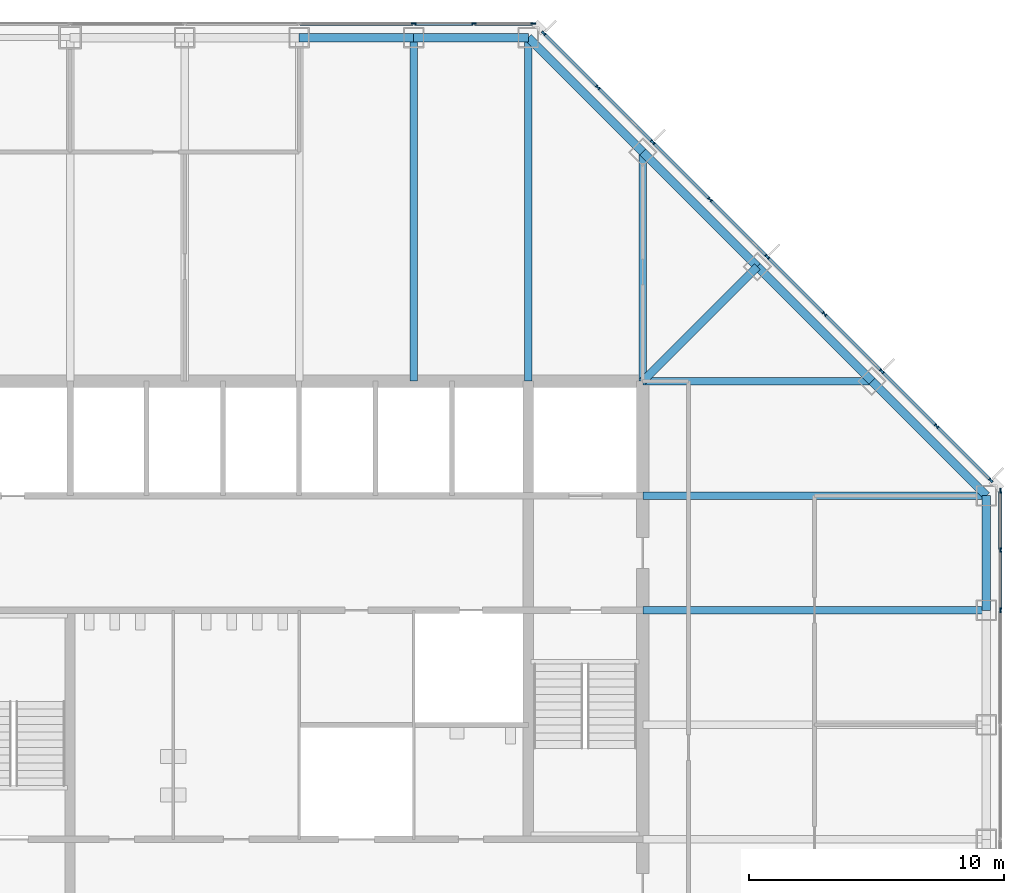
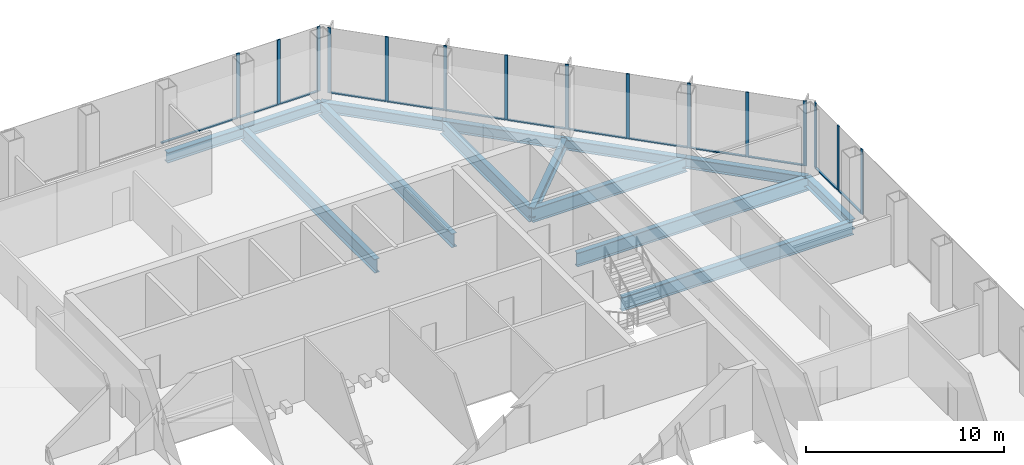
# One storey, part 6 of 12: 28 members, 14 beams, 3 elements without a shape of their own.
"""IFC4 building model written with IfcOpenShell, lengths in metres."""

from ifc_helpers import new_model, si_unit, direction, frame, origin, origin_2d, place, context, subcontext, project, spatial, rectangle, i_section, extrude, material, material_profile, profile_set, type_object, element, aggregate, save


model = new_model("IFC4")

# Units and contexts
model_context = context("Model", 3, precision=1e-05, world=origin(), true_north=direction((0.0, 1.0)))
body_context = subcontext(model_context, "Body", "Model", "MODEL_VIEW")
ifc_project = project(units=[si_unit("LENGTHUNIT", "METRE"), si_unit("AREAUNIT", "SQUARE_METRE"), si_unit("VOLUMEUNIT", "CUBIC_METRE"), si_unit("PLANEANGLEUNIT", "RADIAN"), si_unit("MASSUNIT", "GRAM", prefix="KILO")], contexts=[model_context])

# Site, building, storey
site_placement = place(None, origin())
site = spatial("IfcSite", under=ifc_project, at=site_placement, CompositionType="ELEMENT")
building_placement = place(site_placement, origin())
building = spatial("IfcBuilding", under=site, at=building_placement, Name="Corais Broadcast Tower", CompositionType="ELEMENT")
storey_placement = place(building_placement, frame((0.0, 0.0, 115.60009765625)))
storey = spatial("IfcBuildingStorey", under=building, at=storey_placement, Name="L25", CompositionType="ELEMENT", Elevation=115.60009765625)

# Beams
ifc_material_1 = material(Name="Steel ASTM A572 Grade 50", Category="steel")
ifc_material_profile_1 = material_profile(ifc_material_1, i_section(OverallWidth=0.323974609375, OverallDepth=0.611083984375, WebThickness=0.0126953125, FlangeThickness=0.01904296875, at=origin_2d()), Name="W610x155")
ifc_profile_set_1 = profile_set([ifc_material_profile_1], Name="Steel ASTM A572 Grade 50")
beam_type_1 = type_object("IfcBeamType", Name="Corner diagonal W610x155", PredefinedType="BEAM", material=ifc_profile_set_1)
beam_1_placement = place(storey_placement, frame((45.0, 45.0, -0.465576171875), z_axis=(-0.707106781187, -0.707106781187, 0.0), x_axis=(0.707106781187, -0.707106781187, 0.0)))
element("IfcBeam", 1, at=beam_1_placement, inside=storey, type_object=beam_type_1, Name="B6 L/13 to K/12", PredefinedType="BEAM", context=body_context, shape_type="SweptSolid", body=[
    extrude(i_section(OverallWidth=0.323974609375, OverallDepth=0.611083984375, WebThickness=0.0126953125, FlangeThickness=0.01904296875, at=origin_2d()), origin(), (0.0, 0.0, 1.0), 6.364013671875),
])
ifc_material_2 = material(Name="Steel ASTM A572 Grade 50", Category="steel")
ifc_material_profile_2 = material_profile(ifc_material_2, i_section(OverallWidth=0.2939453125, OverallDepth=0.85107421875, WebThickness=0.01611328125, FlangeThickness=0.02685546875, at=origin_2d()), Name="W840x226")
ifc_profile_set_2 = profile_set([ifc_material_profile_2], Name="Steel ASTM A572 Grade 50")
beam_type_2 = type_object("IfcBeamType", Name="Floor beam W840x226", PredefinedType="BEAM", material=ifc_profile_set_2)
for number, where, z_axis, x_axis, name in (
    (2, (31.5, 54.0, -0.585693359375), (0.0, -1.0, 0.0), (1.0, 0.0, 0.0), "B1 N/10 to K/10"),
    (3, (36.0, 54.0, -0.585693359375), (0.0, -1.0, 0.0), (1.0, 0.0, 0.0), "B1 N/11 to K/11"),
):
    element("IfcBeam", number, at=place(storey_placement, frame(where, z_axis=z_axis, x_axis=x_axis)), inside=storey, type_object=beam_type_2, Name=name, PredefinedType="BEAM", context=body_context, shape_type="SweptSolid", body=[
        extrude(i_section(OverallWidth=0.2939453125, OverallDepth=0.85107421875, WebThickness=0.01611328125, FlangeThickness=0.02685546875, at=origin_2d()), origin(), (0.0, 0.0, 1.0), 13.5),
    ])
for number, where, z_axis, x_axis, name in (
    (4, (40.5, 49.5, -0.585693359375), (0.0, -1.0, 0.0), (1.0, 0.0, 0.0), "B1 M/12 to K/12"),
    (5, (49.5, 40.5, -0.585693359375), (-1.0, 0.0, 0.0), (0.0, -1.0, 0.0), "B1 K/14 to K/12"),
):
    element("IfcBeam", number, at=place(storey_placement, frame(where, z_axis=z_axis, x_axis=x_axis)), inside=storey, type_object=beam_type_2, Name=name, PredefinedType="BEAM", context=body_context, shape_type="SweptSolid", body=[
        extrude(i_section(OverallWidth=0.2939453125, OverallDepth=0.85107421875, WebThickness=0.01611328125, FlangeThickness=0.02685546875, at=origin_2d()), origin(), (0.0, 0.0, 1.0), 9.0),
    ])
for number, where, z_axis, x_axis, name in (
    (6, (54.0, 31.5, -0.585693359375), (-1.0, 0.0, 0.0), (0.0, -1.0, 0.0), "B1 H/15 to H/12"),
    (7, (54.0, 36.0, -0.585693359375), (-1.0, 0.0, 0.0), (0.0, -1.0, 0.0), "B1 J/15 to J/12"),
):
    element("IfcBeam", number, at=place(storey_placement, frame(where, z_axis=z_axis, x_axis=x_axis)), inside=storey, type_object=beam_type_2, Name=name, PredefinedType="BEAM", context=body_context, shape_type="SweptSolid", body=[
        extrude(i_section(OverallWidth=0.2939453125, OverallDepth=0.85107421875, WebThickness=0.01611328125, FlangeThickness=0.02685546875, at=origin_2d()), origin(), (0.0, 0.0, 1.0), 13.5),
    ])

# Curtain wall, members
ifc_material_3 = material(Name="Aluminium and glass", Category="aluminium")
curtain_wall_type = type_object("IfcCurtainWallType", Name="Unitised fritted curtain wall CW2", PredefinedType="NOTDEFINED", material=ifc_material_3)
curtain_wall_1_placement = place(storey_placement, origin())
curtain_wall_1 = element("IfcCurtainWall", 8, at=curtain_wall_1_placement, inside=storey, type_object=curtain_wall_type, Name="CW2 curtain wall L25 4", PredefinedType="NOTDEFINED")
ifc_material_4 = material(Name="Aluminium 6063-T6", Category="aluminium")
ifc_material_profile_3 = material_profile(ifc_material_4, rectangle(XDim=0.06494140625, YDim=0.179931640625, at=origin_2d()), Name="Mullion CW2 65x180")
ifc_profile_set_3 = profile_set([ifc_material_profile_3], Name="Aluminium 6063-T6")
member_type_1 = type_object("IfcMemberType", Name="Mullion CW2 65x180", PredefinedType="MULLION", material=ifc_profile_set_3)
member_1_placement = place(storey_placement, frame((31.5, 54.550048828125, 0.0), z_axis=(0.0, 0.0, 1.0), x_axis=(0.0, 1.0, 0.0)))
member_1 = element("IfcMember", 9, at=member_1_placement, type_object=member_type_1, Name="CW2 mullion 7", PredefinedType="MULLION", context=body_context, shape_type="SweptSolid", body=[
    extrude(rectangle(XDim=0.06494140625, YDim=0.179931640625, at=origin_2d()), origin(), (0.0, 0.0, 1.0), 4.0),
])
member_2_placement = place(storey_placement, frame((33.864013671875, 54.550048828125, 0.0), z_axis=(0.0, 0.0, 1.0), x_axis=(0.0, 1.0, 0.0)))
member_2 = element("IfcMember", 10, at=member_2_placement, type_object=member_type_1, Name="CW2 mullion 8", PredefinedType="MULLION", context=body_context, shape_type="SweptSolid", body=[
    extrude(rectangle(XDim=0.06494140625, YDim=0.179931640625, at=origin_2d()), origin(), (0.0, 0.0, 1.0), 4.0),
])
member_3_placement = place(storey_placement, frame((36.1953125, 54.550048828125, 0.0), z_axis=(0.0, 0.0, 1.0), x_axis=(0.0, 1.0, 0.0)))
member_3 = element("IfcMember", 11, at=member_3_placement, type_object=member_type_1, Name="CW2 mullion 9", PredefinedType="MULLION", context=body_context, shape_type="SweptSolid", body=[
    extrude(rectangle(XDim=0.06494140625, YDim=0.179931640625, at=origin_2d()), origin(), (0.0, 0.0, 1.0), 4.0),
])

curtain_wall_2_placement = place(storey_placement, origin())
curtain_wall_2 = element("IfcCurtainWall", 12, at=curtain_wall_2_placement, inside=storey, type_object=curtain_wall_type, Name="CW2 curtain wall L25 5", PredefinedType="NOTDEFINED")
member_4_placement = place(storey_placement, frame((36.6044921875, 54.17333984375, 0.0), z_axis=(0.0, 0.0, 1.0), x_axis=(0.707106781187, 0.707106781187, 0.0)))
member_4 = element("IfcMember", 13, at=member_4_placement, type_object=member_type_1, Name="CW2 mullion 1", PredefinedType="MULLION", context=body_context, shape_type="SweptSolid", body=[
    extrude(rectangle(XDim=0.06494140625, YDim=0.179931640625, at=origin_2d()), origin(), (0.0, 0.0, 1.0), 4.0),
])
member_5_placement = place(storey_placement, frame((38.735107421875, 52.042724609375, 0.0), z_axis=(0.0, 0.0, 1.0), x_axis=(0.707106781187, 0.707106781187, 0.0)))
member_5 = element("IfcMember", 14, at=member_5_placement, type_object=member_type_1, Name="CW2 mullion 2", PredefinedType="MULLION", context=body_context, shape_type="SweptSolid", body=[
    extrude(rectangle(XDim=0.06494140625, YDim=0.179931640625, at=origin_2d()), origin(), (0.0, 0.0, 1.0), 4.0),
])
member_6_placement = place(storey_placement, frame((40.888916015625, 49.888916015625, 0.0), z_axis=(0.0, 0.0, 1.0), x_axis=(0.707106781187, 0.707106781187, 0.0)))
member_6 = element("IfcMember", 15, at=member_6_placement, type_object=member_type_1, Name="CW2 mullion 3", PredefinedType="MULLION", context=body_context, shape_type="SweptSolid", body=[
    extrude(rectangle(XDim=0.06494140625, YDim=0.179931640625, at=origin_2d()), origin(), (0.0, 0.0, 1.0), 4.0),
])
member_7_placement = place(storey_placement, frame((43.138916015625, 47.638916015625, 0.0), z_axis=(0.0, 0.0, 1.0), x_axis=(0.707106781187, 0.707106781187, 0.0)))
member_7 = element("IfcMember", 16, at=member_7_placement, type_object=member_type_1, Name="CW2 mullion 4", PredefinedType="MULLION", context=body_context, shape_type="SweptSolid", body=[
    extrude(rectangle(XDim=0.06494140625, YDim=0.179931640625, at=origin_2d()), origin(), (0.0, 0.0, 1.0), 4.0),
])
member_8_placement = place(storey_placement, frame((45.388916015625, 45.388916015625, 0.0), z_axis=(0.0, 0.0, 1.0), x_axis=(0.707106781187, 0.707106781187, 0.0)))
member_8 = element("IfcMember", 17, at=member_8_placement, type_object=member_type_1, Name="CW2 mullion 5", PredefinedType="MULLION", context=body_context, shape_type="SweptSolid", body=[
    extrude(rectangle(XDim=0.06494140625, YDim=0.179931640625, at=origin_2d()), origin(), (0.0, 0.0, 1.0), 4.0),
])
member_9_placement = place(storey_placement, frame((47.638916015625, 43.138916015625, 0.0), z_axis=(0.0, 0.0, 1.0), x_axis=(0.707106781187, 0.707106781187, 0.0)))
member_9 = element("IfcMember", 18, at=member_9_placement, type_object=member_type_1, Name="CW2 mullion 6", PredefinedType="MULLION", context=body_context, shape_type="SweptSolid", body=[
    extrude(rectangle(XDim=0.06494140625, YDim=0.179931640625, at=origin_2d()), origin(), (0.0, 0.0, 1.0), 4.0),
])
member_10_placement = place(storey_placement, frame((49.888916015625, 40.888916015625, 0.0), z_axis=(0.0, 0.0, 1.0), x_axis=(0.707106781187, 0.707106781187, 0.0)))
member_10 = element("IfcMember", 19, at=member_10_placement, type_object=member_type_1, Name="CW2 mullion 7", PredefinedType="MULLION", context=body_context, shape_type="SweptSolid", body=[
    extrude(rectangle(XDim=0.06494140625, YDim=0.179931640625, at=origin_2d()), origin(), (0.0, 0.0, 1.0), 4.0),
])
member_11_placement = place(storey_placement, frame((52.042724609375, 38.735107421875, 0.0), z_axis=(0.0, 0.0, 1.0), x_axis=(0.707106781187, 0.707106781187, 0.0)))
member_11 = element("IfcMember", 20, at=member_11_placement, type_object=member_type_1, Name="CW2 mullion 8", PredefinedType="MULLION", context=body_context, shape_type="SweptSolid", body=[
    extrude(rectangle(XDim=0.06494140625, YDim=0.179931640625, at=origin_2d()), origin(), (0.0, 0.0, 1.0), 4.0),
])
member_12_placement = place(storey_placement, frame((54.17333984375, 36.6044921875, 0.0), z_axis=(0.0, 0.0, 1.0), x_axis=(0.707106781187, 0.707106781187, 0.0)))
member_12 = element("IfcMember", 21, at=member_12_placement, type_object=member_type_1, Name="CW2 mullion 9", PredefinedType="MULLION", context=body_context, shape_type="SweptSolid", body=[
    extrude(rectangle(XDim=0.06494140625, YDim=0.179931640625, at=origin_2d()), origin(), (0.0, 0.0, 1.0), 4.0),
])

curtain_wall_3_placement = place(storey_placement, origin())
curtain_wall_3 = element("IfcCurtainWall", 22, at=curtain_wall_3_placement, inside=storey, type_object=curtain_wall_type, Name="CW2 curtain wall L25 6", PredefinedType="NOTDEFINED")
member_13_placement = place(storey_placement, frame((54.550048828125, 36.1953125, 0.0), z_axis=(0.0, 0.0, 1.0), x_axis=(1.0, 0.0, 0.0)))
member_13 = element("IfcMember", 23, at=member_13_placement, type_object=member_type_1, Name="CW2 mullion 1", PredefinedType="MULLION", context=body_context, shape_type="SweptSolid", body=[
    extrude(rectangle(XDim=0.06494140625, YDim=0.179931640625, at=origin_2d()), origin(), (0.0, 0.0, 1.0), 4.0),
])
member_14_placement = place(storey_placement, frame((54.550048828125, 33.864013671875, 0.0), z_axis=(0.0, 0.0, 1.0), x_axis=(1.0, 0.0, 0.0)))
member_14 = element("IfcMember", 24, at=member_14_placement, type_object=member_type_1, Name="CW2 mullion 2", PredefinedType="MULLION", context=body_context, shape_type="SweptSolid", body=[
    extrude(rectangle(XDim=0.06494140625, YDim=0.179931640625, at=origin_2d()), origin(), (0.0, 0.0, 1.0), 4.0),
])
member_15_placement = place(storey_placement, frame((54.550048828125, 31.5, 0.0), z_axis=(0.0, 0.0, 1.0), x_axis=(1.0, 0.0, 0.0)))
member_15 = element("IfcMember", 25, at=member_15_placement, type_object=member_type_1, Name="CW2 mullion 3", PredefinedType="MULLION", context=body_context, shape_type="SweptSolid", body=[
    extrude(rectangle(XDim=0.06494140625, YDim=0.179931640625, at=origin_2d()), origin(), (0.0, 0.0, 1.0), 4.0),
])

# Beams
ifc_material_5 = material(Name="Steel ASTM A572 Grade 50", Category="steel")
ifc_material_profile_4 = material_profile(ifc_material_5, i_section(OverallWidth=0.3291015625, OverallDepth=0.635009765625, WebThickness=0.017822265625, FlangeThickness=0.031005859375, at=origin_2d()), Name="W610x241")
ifc_profile_set_4 = profile_set([ifc_material_profile_4], Name="Steel ASTM A572 Grade 50")
beam_type_3 = type_object("IfcBeamType", Name="Spandrel W610x241", PredefinedType="BEAM", material=ifc_profile_set_4)
for number, where, z_axis, x_axis, name in (
    (26, (31.5, 54.0, -0.4775390625), (-1.0, 0.0, 0.0), (0.0, -1.0, 0.0), "SB1 N/10 to N/9"),
    (27, (36.0, 54.0, -0.4775390625), (-1.0, 0.0, 0.0), (0.0, -1.0, 0.0), "SB1 N/11 to N/10"),
):
    element("IfcBeam", number, at=place(storey_placement, frame(where, z_axis=z_axis, x_axis=x_axis)), inside=storey, type_object=beam_type_3, Name=name, PredefinedType="BEAM", context=body_context, shape_type="SweptSolid", body=[
        extrude(i_section(OverallWidth=0.3291015625, OverallDepth=0.635009765625, WebThickness=0.017822265625, FlangeThickness=0.031005859375, at=origin_2d()), origin(), (0.0, 0.0, 1.0), 4.5),
    ])
for number, where, z_axis, x_axis, name in (
    (28, (40.5, 49.5, -0.4775390625), (-0.707106781187, 0.707106781187, 0.0), (-0.707106781187, -0.707106781187, 0.0), "SB1 M/12 to N/11"),
    (29, (45.0, 45.0, -0.4775390625), (-0.707106781187, 0.707106781187, 0.0), (-0.707106781187, -0.707106781187, 0.0), "SB1 L/13 to M/12"),
    (30, (49.5, 40.5, -0.4775390625), (-0.707106781187, 0.707106781187, 0.0), (-0.707106781187, -0.707106781187, 0.0), "SB1 K/14 to L/13"),
):
    element("IfcBeam", number, at=place(storey_placement, frame(where, z_axis=z_axis, x_axis=x_axis)), inside=storey, type_object=beam_type_3, Name=name, PredefinedType="BEAM", context=body_context, shape_type="SweptSolid", body=[
        extrude(i_section(OverallWidth=0.3291015625, OverallDepth=0.635009765625, WebThickness=0.017822265625, FlangeThickness=0.031005859375, at=origin_2d()), origin(), (0.0, 0.0, 1.0), 6.364013671875),
    ])
beam_2_placement = place(storey_placement, frame((54.0, 31.5, -0.4775390625), z_axis=(0.0, 1.0, 0.0), x_axis=(-1.0, 0.0, 0.0)))
element("IfcBeam", 31, at=beam_2_placement, inside=storey, type_object=beam_type_3, Name="SB1 H/15 to J/15", PredefinedType="BEAM", context=body_context, shape_type="SweptSolid", body=[
    extrude(i_section(OverallWidth=0.3291015625, OverallDepth=0.635009765625, WebThickness=0.017822265625, FlangeThickness=0.031005859375, at=origin_2d()), origin(), (0.0, 0.0, 1.0), 4.5),
])
beam_3_placement = place(storey_placement, frame((54.0, 36.0, -0.4775390625), z_axis=(-0.707106781187, 0.707106781187, 0.0), x_axis=(-0.707106781187, -0.707106781187, 0.0)))
element("IfcBeam", 32, at=beam_3_placement, inside=storey, type_object=beam_type_3, Name="SB1 J/15 to K/14", PredefinedType="BEAM", context=body_context, shape_type="SweptSolid", body=[
    extrude(i_section(OverallWidth=0.3291015625, OverallDepth=0.635009765625, WebThickness=0.017822265625, FlangeThickness=0.031005859375, at=origin_2d()), origin(), (0.0, 0.0, 1.0), 6.364013671875),
])

# Member
ifc_material_6 = material(Name="Aluminium 6063-T6", Category="aluminium")
ifc_material_profile_5 = material_profile(ifc_material_6, rectangle(XDim=0.1298828125, YDim=0.06494140625, at=origin_2d()), Name="Transom CW2 65x130")
ifc_profile_set_5 = profile_set([ifc_material_profile_5], Name="Aluminium 6063-T6")
member_type_2 = type_object("IfcMemberType", Name="Transom CW2 65x130", PredefinedType="USERDEFINED", material=ifc_profile_set_5)
member_16_placement = place(storey_placement, frame((27.032470703125, 54.550048828125, 0.032470703125), z_axis=(1.0, 0.0, 0.0), x_axis=(0.0, 1.0, 0.0)))
member_16 = element("IfcMember", 33, at=member_16_placement, type_object=member_type_2, Name="CW2 transom 6.1", ObjectType="TRANSOM", PredefinedType="USERDEFINED", context=body_context, shape_type="SweptSolid", body=[
    extrude(rectangle(XDim=0.1298828125, YDim=0.06494140625, at=origin_2d()), origin(), (0.0, 0.0, 1.0), 4.43505859375),
])

member_17_placement = place(storey_placement, frame((31.532470703125, 54.550048828125, 0.032470703125), z_axis=(1.0, 0.0, 0.0), x_axis=(0.0, 1.0, 0.0)))
member_17 = element("IfcMember", 34, at=member_17_placement, type_object=member_type_2, Name="CW2 transom 7.1", ObjectType="TRANSOM", PredefinedType="USERDEFINED", context=body_context, shape_type="SweptSolid", body=[
    extrude(rectangle(XDim=0.1298828125, YDim=0.06494140625, at=origin_2d()), origin(), (0.0, 0.0, 1.0), 2.298828125),
])

member_18_placement = place(storey_placement, frame((33.896484375, 54.550048828125, 0.032470703125), z_axis=(1.0, 0.0, 0.0), x_axis=(0.0, 1.0, 0.0)))
member_18 = element("IfcMember", 35, at=member_18_placement, type_object=member_type_2, Name="CW2 transom 8.1", ObjectType="TRANSOM", PredefinedType="USERDEFINED", context=body_context, shape_type="SweptSolid", body=[
    extrude(rectangle(XDim=0.1298828125, YDim=0.06494140625, at=origin_2d()), origin(), (0.0, 0.0, 1.0), 2.266357421875),
])

aggregate(curtain_wall_1, [member_1, member_2, member_3, member_16, member_17, member_18])

member_19_placement = place(storey_placement, frame((36.62744140625, 54.150390625, 0.032470703125), z_axis=(0.707106781187, -0.707106781187, 0.0), x_axis=(0.707106781187, 0.707106781187, 0.0)))
member_19 = element("IfcMember", 36, at=member_19_placement, type_object=member_type_2, Name="CW2 transom 1.1", ObjectType="TRANSOM", PredefinedType="USERDEFINED", context=body_context, shape_type="SweptSolid", body=[
    extrude(rectangle(XDim=0.1298828125, YDim=0.06494140625, at=origin_2d()), origin(), (0.0, 0.0, 1.0), 2.9482421875),
])

member_20_placement = place(storey_placement, frame((38.758056640625, 52.019775390625, 0.032470703125), z_axis=(0.707106781187, -0.707106781187, 0.0), x_axis=(0.707106781187, 0.707106781187, 0.0)))
member_20 = element("IfcMember", 37, at=member_20_placement, type_object=member_type_2, Name="CW2 transom 2.1", ObjectType="TRANSOM", PredefinedType="USERDEFINED", context=body_context, shape_type="SweptSolid", body=[
    extrude(rectangle(XDim=0.1298828125, YDim=0.06494140625, at=origin_2d()), origin(), (0.0, 0.0, 1.0), 2.98095703125),
])

member_21_placement = place(storey_placement, frame((40.911865234375, 49.865966796875, 0.032470703125), z_axis=(0.707106781187, -0.707106781187, 0.0), x_axis=(0.707106781187, 0.707106781187, 0.0)))
member_21 = element("IfcMember", 38, at=member_21_placement, type_object=member_type_2, Name="CW2 transom 3.1", ObjectType="TRANSOM", PredefinedType="USERDEFINED", context=body_context, shape_type="SweptSolid", body=[
    extrude(rectangle(XDim=0.1298828125, YDim=0.06494140625, at=origin_2d()), origin(), (0.0, 0.0, 1.0), 3.1171875),
])

member_22_placement = place(storey_placement, frame((43.161865234375, 47.615966796875, 0.032470703125), z_axis=(0.707106781187, -0.707106781187, 0.0), x_axis=(0.707106781187, 0.707106781187, 0.0)))
member_22 = element("IfcMember", 39, at=member_22_placement, type_object=member_type_2, Name="CW2 transom 4.1", ObjectType="TRANSOM", PredefinedType="USERDEFINED", context=body_context, shape_type="SweptSolid", body=[
    extrude(rectangle(XDim=0.1298828125, YDim=0.06494140625, at=origin_2d()), origin(), (0.0, 0.0, 1.0), 3.1171875),
])

member_23_placement = place(storey_placement, frame((45.411865234375, 45.365966796875, 0.032470703125), z_axis=(0.707106781187, -0.707106781187, 0.0), x_axis=(0.707106781187, 0.707106781187, 0.0)))
member_23 = element("IfcMember", 40, at=member_23_placement, type_object=member_type_2, Name="CW2 transom 5.1", ObjectType="TRANSOM", PredefinedType="USERDEFINED", context=body_context, shape_type="SweptSolid", body=[
    extrude(rectangle(XDim=0.1298828125, YDim=0.06494140625, at=origin_2d()), origin(), (0.0, 0.0, 1.0), 3.1171875),
])

member_24_placement = place(storey_placement, frame((47.661865234375, 43.115966796875, 0.032470703125), z_axis=(0.707106781187, -0.707106781187, 0.0), x_axis=(0.707106781187, 0.707106781187, 0.0)))
member_24 = element("IfcMember", 41, at=member_24_placement, type_object=member_type_2, Name="CW2 transom 6.1", ObjectType="TRANSOM", PredefinedType="USERDEFINED", context=body_context, shape_type="SweptSolid", body=[
    extrude(rectangle(XDim=0.1298828125, YDim=0.06494140625, at=origin_2d()), origin(), (0.0, 0.0, 1.0), 3.1171875),
])

member_25_placement = place(storey_placement, frame((49.911865234375, 40.865966796875, 0.032470703125), z_axis=(0.707065828661, -0.70714773134, 0.0), x_axis=(0.70714773134, 0.707065828661, 0.0)))
member_25 = element("IfcMember", 42, at=member_25_placement, type_object=member_type_2, Name="CW2 transom 7.1", ObjectType="TRANSOM", PredefinedType="USERDEFINED", context=body_context, shape_type="SweptSolid", body=[
    extrude(rectangle(XDim=0.1298828125, YDim=0.06494140625, at=origin_2d()), origin(), (0.0, 0.0, 1.0), 2.98095703125),
])

member_26_placement = place(storey_placement, frame((52.065673828125, 38.712158203125, 0.032470703125), z_axis=(0.707106781187, -0.707106781187, 0.0), x_axis=(0.707106781187, 0.707106781187, 0.0)))
member_26 = element("IfcMember", 43, at=member_26_placement, type_object=member_type_2, Name="CW2 transom 8.1", ObjectType="TRANSOM", PredefinedType="USERDEFINED", context=body_context, shape_type="SweptSolid", body=[
    extrude(rectangle(XDim=0.1298828125, YDim=0.06494140625, at=origin_2d()), origin(), (0.0, 0.0, 1.0), 2.9482421875),
])

aggregate(curtain_wall_2, [member_4, member_5, member_6, member_7, member_8, member_9, member_10, member_11, member_12, member_19, member_20, member_21, member_22, member_23, member_24, member_25, member_26])

member_27_placement = place(storey_placement, frame((54.550048828125, 36.162841796875, 0.032470703125), z_axis=(0.0, -1.0, 0.0), x_axis=(1.0, 0.0, 0.0)))
member_27 = element("IfcMember", 44, at=member_27_placement, type_object=member_type_2, Name="CW2 transom 1.1", ObjectType="TRANSOM", PredefinedType="USERDEFINED", context=body_context, shape_type="SweptSolid", body=[
    extrude(rectangle(XDim=0.1298828125, YDim=0.06494140625, at=origin_2d()), origin(), (0.0, 0.0, 1.0), 2.266357421875),
])

member_28_placement = place(storey_placement, frame((54.550048828125, 33.831298828125, 0.032470703125), z_axis=(0.0, -1.0, 0.0), x_axis=(1.0, 0.0, 0.0)))
member_28 = element("IfcMember", 45, at=member_28_placement, type_object=member_type_2, Name="CW2 transom 2.1", ObjectType="TRANSOM", PredefinedType="USERDEFINED", context=body_context, shape_type="SweptSolid", body=[
    extrude(rectangle(XDim=0.1298828125, YDim=0.06494140625, at=origin_2d()), origin(), (0.0, 0.0, 1.0), 2.298828125),
])

aggregate(curtain_wall_3, [member_13, member_14, member_15, member_27, member_28])

save(model, "model.ifc")
